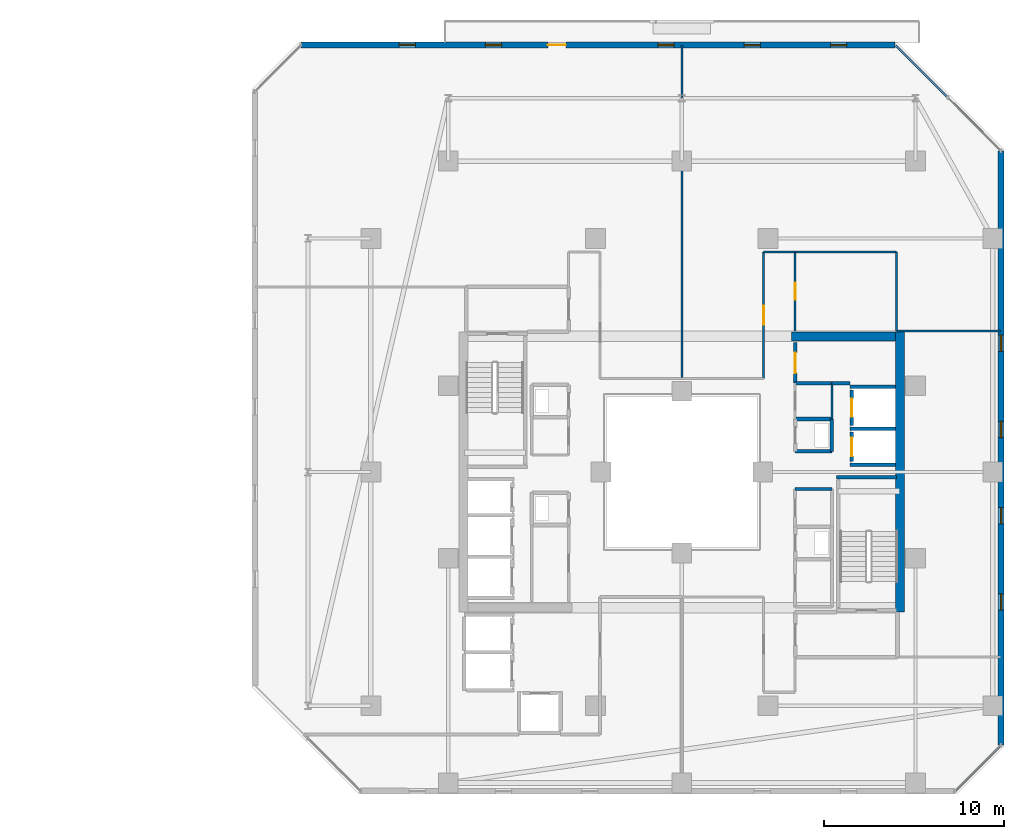
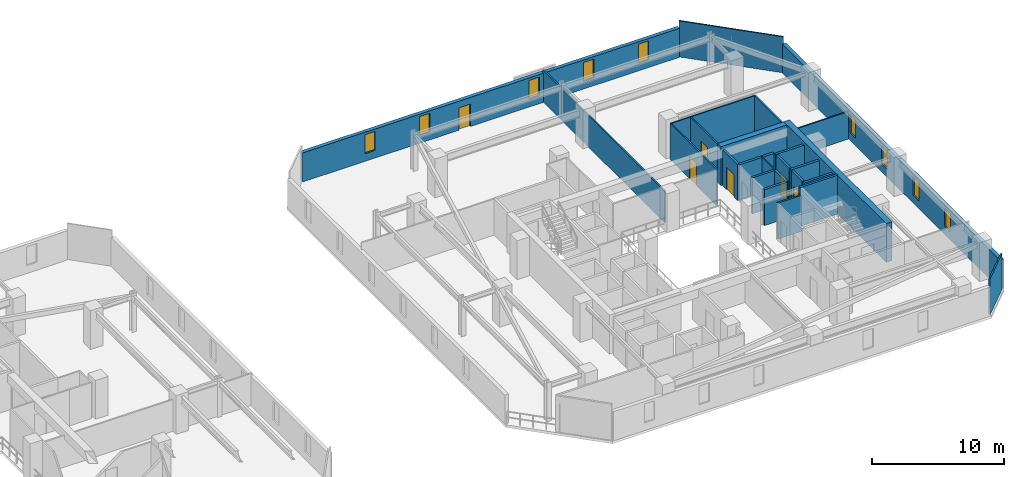
# One storey, part 25 of 32: 27 walls, 9 windows, 6 doors, 15 openings.
"""IFC4 building model written with IfcOpenShell, lengths in metres."""

from ifc_helpers import new_model, si_unit, direction, frame, frame_2d, origin, place, context, subcontext, project, spatial, rectangle, extrude, material, layer, layer_set, type_object, element, fill, save


model = new_model("IFC4")

# Units and contexts
model_context = context("Model", 3, precision=1e-05, world=origin(), true_north=direction((0.0, 1.0)))
body_context = subcontext(model_context, "Body", "Model", "MODEL_VIEW")
ifc_project = project(units=[si_unit("LENGTHUNIT", "METRE"), si_unit("AREAUNIT", "SQUARE_METRE"), si_unit("VOLUMEUNIT", "CUBIC_METRE"), si_unit("PLANEANGLEUNIT", "RADIAN"), si_unit("MASSUNIT", "GRAM", prefix="KILO")], contexts=[model_context])

# Site, building, storey
site_placement = place(None, origin())
site = spatial("IfcSite", under=ifc_project, at=site_placement, CompositionType="ELEMENT")
building_placement = place(site_placement, origin())
building = spatial("IfcBuilding", under=site, at=building_placement, Name="Thornwick Lancets Civic Towers", CompositionType="ELEMENT")
storey_placement = place(building_placement, frame((0.0, 0.0, 178.5)))
storey = spatial("IfcBuildingStorey", under=building, at=storey_placement, Name="L47", CompositionType="ELEMENT", Elevation=178.5)

# Wall, opening, door
ifc_material_1 = material(Name="Concrete blockwork C40/50", Category="masonry")
ifc_layer_1 = layer(ifc_material_1, 0.199951171875, Name="Concrete blockwork C40/50")
ifc_layer_set_1 = layer_set([ifc_layer_1], Name="Concrete blockwork C40/50")
wall_type_1 = type_object("IfcWallType", Name="WALL_COMP_200", PredefinedType="STANDARD", material=ifc_layer_set_1)
wall_1_placement = place(storey_placement, frame((97.949951171875, 29.219970703125, 0.0), z_axis=(0.0, 0.0, 1.0), x_axis=(0.0, -1.0, 0.0)))
wall_1 = element("IfcWall", 1, at=wall_1_placement, inside=storey, type_object=wall_type_1, Name="L47 Hoistway Front Wall FL-B1", PredefinedType="STANDARD", context=body_context, shape_type="SweptSolid", body=[
    extrude(rectangle(XDim=1.639892578125, YDim=0.199951171875, at=frame_2d((0.81982421875, 0.0))), origin(), (0.0, 0.0, 1.0), 3.340087890625),
])
opening_1_placement = place(wall_1_placement, frame((0.31005859375, 0.0, 0.0)))
opening_1 = element("IfcOpeningElement", 2, at=opening_1_placement, cuts=wall_1, Name="Opening LD-FL-B1", PredefinedType="OPENING", context=body_context, shape_type="SweptSolid", body=[
    extrude(rectangle(XDim=1.02001953125, YDim=2.06005859375, at=frame_2d((0.510009765625, 1.030029296875))), frame((0.0, 0.10986328125, 0.0), z_axis=(0.0, -1.0, 0.0), x_axis=(1.0, 0.0, 0.0)), (0.0, 0.0, 1.0), 0.219970703125),
])
ifc_material_2 = material(Name="Brushed bronze stainless steel", Category="steel")
door_type_1 = type_object("IfcDoorType", Name="DOOR_LIFT_SLIDE", OperationType="SLIDING_TO_LEFT", PredefinedType="DOOR", material=ifc_material_2)
door_1_placement = place(opening_1_placement, origin())
door_1 = element("IfcDoor", 3, at=door_1_placement, inside=storey, type_object=door_type_1, Name="L47 Sliding Lift Landing Door LD-FL-B1", OperationType="SLIDING_TO_LEFT", OverallHeight=2.06005859375, OverallWidth=1.02001953125, PredefinedType="DOOR", context=body_context, shape_type="SweptSolid", body=[
    extrude(rectangle(XDim=1.02001953125, YDim=2.06005859375, at=frame_2d((0.510009765625, 1.030029296875))), frame((0.0, 0.02490234375, 0.0), z_axis=(0.0, -1.0, 0.0), x_axis=(1.0, 0.0, 0.0)), (0.0, 0.0, 1.0), 0.050048828125),
])
fill(opening_1, door_1)

wall_2_placement = place(storey_placement, frame((97.949951171875, 31.570068359375, 0.0), z_axis=(0.0, 0.0, 1.0), x_axis=(0.0, -1.0, 0.0)))
wall_2 = element("IfcWall", 4, at=wall_2_placement, inside=storey, type_object=wall_type_1, Name="L47 Hoistway Front Wall PL-BH1", PredefinedType="STANDARD", context=body_context, shape_type="SweptSolid", body=[
    extrude(rectangle(XDim=1.989990234375, YDim=0.199951171875, at=frame_2d((0.9951171875, 0.0))), origin(), (0.0, 0.0, 1.0), 3.340087890625),
])
opening_2_placement = place(wall_2_placement, frame((0.485107421875, 0.0, 0.0)))
opening_2 = element("IfcOpeningElement", 5, at=opening_2_placement, cuts=wall_2, Name="Opening LD-PL-BH1", PredefinedType="OPENING", context=body_context, shape_type="SweptSolid", body=[
    extrude(rectangle(XDim=1.02001953125, YDim=2.06005859375, at=frame_2d((0.510009765625, 1.030029296875))), frame((0.0, 0.10986328125, 0.0), z_axis=(0.0, -1.0, 0.0), x_axis=(1.0, 0.0, 0.0)), (0.0, 0.0, 1.0), 0.219970703125),
])
door_2_placement = place(opening_2_placement, origin())
door_2 = element("IfcDoor", 6, at=door_2_placement, inside=storey, type_object=door_type_1, Name="L47 Sliding Lift Landing Door LD-PL-BH1", OperationType="SLIDING_TO_LEFT", OverallHeight=2.06005859375, OverallWidth=1.02001953125, PredefinedType="DOOR", context=body_context, shape_type="SweptSolid", body=[
    extrude(rectangle(XDim=1.02001953125, YDim=2.06005859375, at=frame_2d((0.510009765625, 1.030029296875))), frame((0.0, 0.02490234375, 0.0), z_axis=(0.0, -1.0, 0.0), x_axis=(1.0, 0.0, 0.0)), (0.0, 0.0, 1.0), 0.050048828125),
])
fill(opening_2, door_2)

# Walls
for number, where, z_axis, x_axis, name in (
    (7, (97.85205078125, 29.39990234375, 0.0), (0.0, 0.0, 1.0), (1.0, 0.0, 0.0), "L47 Hoistway Shaft Wall FL-B1 N"),
    (8, (97.85205078125, 27.39990234375, 0.0), (0.0, 0.0, 1.0), (1.0, 0.0, 0.0), "L47 Hoistway Shaft Wall FL-B1 S"),
    (9, (97.85205078125, 31.75, 0.0), (0.0, 0.0, 1.0), (1.0, 0.0, 0.0), "L47 Hoistway Shaft Wall PL-BH1 N"),
):
    element("IfcWall", number, at=place(storey_placement, frame(where, z_axis=z_axis, x_axis=x_axis)), inside=storey, type_object=wall_type_1, Name=name, PredefinedType="STANDARD", context=body_context, shape_type="SweptSolid", body=[
        extrude(rectangle(XDim=2.535888671875, YDim=0.199951171875, at=frame_2d((1.26806640625, 0.0))), origin(), (0.0, 0.0, 1.0), 3.340087890625),
    ])
wall_3_placement = place(storey_placement, frame((94.800048828125, 28.14990234375, 0.0), z_axis=(0.0, 0.0, 1.0), x_axis=(1.0, 0.0, 0.0)))
element("IfcWall", 10, at=wall_3_placement, inside=storey, type_object=wall_type_1, Name="L47 Partition L47-B-DUCT1 E1", PredefinedType="STANDARD", context=body_context, shape_type="SweptSolid", body=[
    extrude(rectangle(XDim=2.050048828125, YDim=0.199951171875, at=frame_2d((1.02490234375, 0.0))), origin(), (0.0, 0.0, 1.0), 3.340087890625),
])
wall_4_placement = place(storey_placement, frame((96.85009765625, 28.14990234375, 0.0), z_axis=(0.0, 0.0, 1.0), x_axis=(0.0, 1.0, 0.0)))
element("IfcWall", 11, at=wall_4_placement, inside=storey, type_object=wall_type_1, Name="L47 Partition L47-B-DUCT1 E2", PredefinedType="STANDARD", context=body_context, shape_type="SweptSolid", body=[
    extrude(rectangle(XDim=1.800048828125, YDim=0.199951171875, at=frame_2d((0.89990234375, 0.0))), origin(), (0.0, 0.0, 1.0), 3.340087890625),
])
wall_5_placement = place(storey_placement, frame((96.85009765625, 29.949951171875, 0.0), z_axis=(0.0, 0.0, 1.0), x_axis=(-1.0, 0.0, 0.0)))
element("IfcWall", 12, at=wall_5_placement, inside=storey, type_object=wall_type_1, Name="L47 Partition L47-B-DUCT1 E3", PredefinedType="STANDARD", context=body_context, shape_type="SweptSolid", body=[
    extrude(rectangle(XDim=2.050048828125, YDim=0.199951171875, at=frame_2d((1.02490234375, 0.0))), origin(), (0.0, 0.0, 1.0), 3.340087890625),
])

# Wall, opening, door
wall_6_placement = place(storey_placement, frame((94.800048828125, 31.949951171875, 0.0), z_axis=(0.0, 0.0, 1.0), x_axis=(0.0, 1.0, 0.0)))
wall_6 = element("IfcWall", 13, at=wall_6_placement, inside=storey, type_object=wall_type_1, Name="L47 Partition L47-B-ITR2 E1", PredefinedType="STANDARD", context=body_context, shape_type="SweptSolid", body=[
    extrude(rectangle(XDim=2.25, YDim=0.199951171875, at=frame_2d((1.125, 0.0))), origin(), (0.0, 0.0, 1.0), 3.340087890625),
])
opening_3_placement = place(wall_6_placement, frame((0.550048828125, 0.0, 0.0)))
opening_3 = element("IfcOpeningElement", 14, at=opening_3_placement, cuts=wall_6, Name="Opening D-L47-2108", PredefinedType="OPENING", context=body_context, shape_type="SweptSolid", body=[
    extrude(rectangle(XDim=1.14990234375, YDim=2.10009765625, at=frame_2d((0.574951171875, 1.050048828125))), frame((0.0, 0.10986328125, 0.0), z_axis=(0.0, -1.0, 0.0), x_axis=(1.0, 0.0, 0.0)), (0.0, 0.0, 1.0), 0.219970703125),
])
ifc_material_3 = material(Name="Glazed fire-resisting steel", Category="steel")
door_type_2 = type_object("IfcDoorType", Name="DOOR_LOBBY_FD60", OperationType="NOTDEFINED", PredefinedType="DOOR", material=ifc_material_3)
door_3_placement = place(opening_3_placement, origin())
door_3 = element("IfcDoor", 15, at=door_3_placement, inside=storey, type_object=door_type_2, Name="L47 Tower B Statutory Core Archive Door", OperationType="SINGLE_SWING_LEFT", OverallHeight=2.10009765625, OverallWidth=1.14990234375, PredefinedType="DOOR", context=body_context, shape_type="SweptSolid", body=[
    extrude(rectangle(XDim=1.14990234375, YDim=2.10009765625, at=frame_2d((0.574951171875, 1.050048828125))), frame((0.0, 0.02490234375, 0.0), z_axis=(0.0, -1.0, 0.0), x_axis=(1.0, 0.0, 0.0)), (0.0, 0.0, 1.0), 0.050048828125),
])
fill(opening_3, door_3)

# Walls
wall_7_placement = place(storey_placement, frame((97.85205078125, 31.949951171875, 0.0), z_axis=(0.0, 0.0, 1.0), x_axis=(-1.0, 0.0, 0.0)))
element("IfcWall", 16, at=wall_7_placement, inside=storey, type_object=wall_type_1, Name="L47 Partition L47-B-ITR2 E4", PredefinedType="STANDARD", context=body_context, shape_type="SweptSolid", body=[
    extrude(rectangle(XDim=1.001953125, YDim=0.199951171875, at=frame_2d((0.5009765625, 0.0))), origin(), (0.0, 0.0, 1.0), 3.340087890625),
])
wall_8_placement = place(storey_placement, frame((96.85009765625, 31.949951171875, 0.0), z_axis=(0.0, 0.0, 1.0), x_axis=(-1.0, 0.0, 0.0)))
element("IfcWall", 17, at=wall_8_placement, inside=storey, type_object=wall_type_1, Name="L47 Partition L47-B-ITR2 E5", PredefinedType="STANDARD", context=body_context, shape_type="SweptSolid", body=[
    extrude(rectangle(XDim=2.050048828125, YDim=0.199951171875, at=frame_2d((1.02490234375, 0.0))), origin(), (0.0, 0.0, 1.0), 3.340087890625),
])
ifc_material_4 = material(Name="Concrete C50/60", Category="concrete")
ifc_layer_2 = layer(ifc_material_4, 0.5, Name="Concrete C50/60")
ifc_layer_set_2 = layer_set([ifc_layer_2], Name="Concrete C50/60")
wall_type_2 = type_object("IfcWallType", Name="WALL_CORE_500", PredefinedType="SHEAR", material=ifc_layer_set_2)
wall_9_placement = place(storey_placement, frame((100.64990234375, 19.199951171875, 0.0), z_axis=(0.0, 0.0, 1.0), x_axis=(0.0, 1.0, 0.0)))
element("IfcWall", 18, at=wall_9_placement, inside=storey, type_object=wall_type_2, Name="L47 Split Core B1 Shear Wall E", PredefinedType="SHEAR", context=body_context, shape_type="SweptSolid", body=[
    extrude(rectangle(XDim=15.60009765625, YDim=0.5, at=frame_2d((7.800048828125, 0.0))), origin(), (0.0, 0.0, 1.0), 3.60009765625),
])
wall_10_placement = place(storey_placement, frame((94.60009765625, 34.550048828125, 0.0), z_axis=(0.0, 0.0, 1.0), x_axis=(1.0, 0.0, 0.0)))
element("IfcWall", 19, at=wall_10_placement, inside=storey, type_object=wall_type_2, Name="L47 Split Core B1 Shear Wall N", PredefinedType="SHEAR", context=body_context, shape_type="SweptSolid", body=[
    extrude(rectangle(XDim=5.7998046875, YDim=0.5, at=frame_2d((2.89990234375, 0.0))), origin(), (0.0, 0.0, 1.0), 3.60009765625),
])

# Wall, openings, windows
ifc_material_5 = material(Name="Insulated buff terracotta rainscreen on concrete C40/50", Category="masonry")
ifc_layer_3 = layer(ifc_material_5, 0.320068359375, Name="Insulated buff terracotta rainscreen on concrete C40/50")
ifc_layer_set_3 = layer_set([ifc_layer_3], Name="Insulated buff terracotta rainscreen on concrete C40/50")
wall_type_3 = type_object("IfcWallType", Name="WALL_EXT_TERRA_320", PredefinedType="STANDARD", material=ifc_layer_set_3)
wall_11_placement = place(storey_placement, frame((106.2646484375, 11.818603515625, 0.0), z_axis=(0.0, 0.0, 1.0), x_axis=(-0.000332378036, 0.999999944762, 0.0)))
wall_11 = element("IfcWall", 20, at=wall_11_placement, inside=storey, type_object=wall_type_3, Name="L47 Tower B Terracotta Facade Wall E2", PredefinedType="STANDARD", context=body_context, shape_type="SweptSolid", body=[
    extrude(rectangle(XDim=33.0537109375, YDim=0.320068359375, at=frame_2d((16.52685546875, 0.0))), origin(), (0.0, 0.0, 1.0), 2.699951171875),
])
opening_4_placement = place(wall_11_placement, frame((7.5, 0.0, 0.719970703125)))
opening_4 = element("IfcOpeningElement", 21, at=opening_4_placement, cuts=wall_11, Name="Opening WL-01", PredefinedType="OPENING", context=body_context, shape_type="SweptSolid", body=[
    extrude(rectangle(XDim=0.89990234375, YDim=1.75, at=frame_2d((0.449951171875, 0.875))), frame((0.0, 0.169921875, 0.0), z_axis=(0.0, -1.0, 0.0), x_axis=(1.0, 0.0, 0.0)), (0.0, 0.0, 1.0), 0.340087890625),
])
opening_5_placement = place(wall_11_placement, frame((12.300048828125, 0.0, 0.719970703125)))
opening_5 = element("IfcOpeningElement", 22, at=opening_5_placement, cuts=wall_11, Name="Opening WL-01", PredefinedType="OPENING", context=body_context, shape_type="SweptSolid", body=[
    extrude(rectangle(XDim=0.89990234375, YDim=1.75, at=frame_2d((0.449951171875, 0.875))), frame((0.0, 0.169921875, 0.0), z_axis=(0.0, -1.0, 0.0), x_axis=(1.0, 0.0, 0.0)), (0.0, 0.0, 1.0), 0.340087890625),
])
opening_6_placement = place(wall_11_placement, frame((17.10009765625, 0.0, 0.719970703125)))
opening_6 = element("IfcOpeningElement", 23, at=opening_6_placement, cuts=wall_11, Name="Opening WL-01", PredefinedType="OPENING", context=body_context, shape_type="SweptSolid", body=[
    extrude(rectangle(XDim=0.89990234375, YDim=1.75, at=frame_2d((0.449951171875, 0.875))), frame((0.0, 0.169921875, 0.0), z_axis=(0.0, -1.0, 0.0), x_axis=(1.0, 0.0, 0.0)), (0.0, 0.0, 1.0), 0.340087890625),
])
opening_7_placement = place(wall_11_placement, frame((21.89990234375, 0.0, 0.719970703125)))
opening_7 = element("IfcOpeningElement", 24, at=opening_7_placement, cuts=wall_11, Name="Opening WL-01", PredefinedType="OPENING", context=body_context, shape_type="SweptSolid", body=[
    extrude(rectangle(XDim=0.89990234375, YDim=1.75, at=frame_2d((0.449951171875, 0.875))), frame((0.0, 0.169921875, 0.0), z_axis=(0.0, -1.0, 0.0), x_axis=(1.0, 0.0, 0.0)), (0.0, 0.0, 1.0), 0.340087890625),
])
ifc_material_6 = material(Name="Clear low-e double glazing in bronze frame", Category="glass")
window_type = type_object("IfcWindowType", Name="WIN_LANCET_900", PartitioningType="SINGLE_PANEL", PredefinedType="WINDOW", material=ifc_material_6)
window_1_placement = place(opening_4_placement, origin())
window_1 = element("IfcWindow", 25, at=window_1_placement, inside=storey, type_object=window_type, Name="L47 Tower B Staggered Lancet Window E2-1", OverallHeight=1.75, OverallWidth=0.89990234375, PartitioningType="SINGLE_PANEL", PredefinedType="WINDOW", context=body_context, shape_type="SweptSolid", body=[
    extrude(rectangle(XDim=0.89990234375, YDim=1.75, at=frame_2d((0.449951171875, 0.875))), frame((0.0, 0.030029296875, 0.0), z_axis=(0.0, -1.0, 0.0), x_axis=(1.0, 0.0, 0.0)), (0.0, 0.0, 1.0), 0.06005859375),
])
fill(opening_4, window_1)
window_2_placement = place(opening_5_placement, origin())
window_2 = element("IfcWindow", 26, at=window_2_placement, inside=storey, type_object=window_type, Name="L47 Tower B Staggered Lancet Window E2-2", OverallHeight=1.75, OverallWidth=0.89990234375, PartitioningType="SINGLE_PANEL", PredefinedType="WINDOW", context=body_context, shape_type="SweptSolid", body=[
    extrude(rectangle(XDim=0.89990234375, YDim=1.75, at=frame_2d((0.449951171875, 0.875))), frame((0.0, 0.030029296875, 0.0), z_axis=(0.0, -1.0, 0.0), x_axis=(1.0, 0.0, 0.0)), (0.0, 0.0, 1.0), 0.06005859375),
])
fill(opening_5, window_2)
window_3_placement = place(opening_6_placement, origin())
window_3 = element("IfcWindow", 27, at=window_3_placement, inside=storey, type_object=window_type, Name="L47 Tower B Staggered Lancet Window E2-3", OverallHeight=1.75, OverallWidth=0.89990234375, PartitioningType="SINGLE_PANEL", PredefinedType="WINDOW", context=body_context, shape_type="SweptSolid", body=[
    extrude(rectangle(XDim=0.89990234375, YDim=1.75, at=frame_2d((0.449951171875, 0.875))), frame((0.0, 0.030029296875, 0.0), z_axis=(0.0, -1.0, 0.0), x_axis=(1.0, 0.0, 0.0)), (0.0, 0.0, 1.0), 0.06005859375),
])
fill(opening_6, window_3)
window_4_placement = place(opening_7_placement, origin())
window_4 = element("IfcWindow", 28, at=window_4_placement, inside=storey, type_object=window_type, Name="L47 Tower B Staggered Lancet Window E2-4", OverallHeight=1.75, OverallWidth=0.89990234375, PartitioningType="SINGLE_PANEL", PredefinedType="WINDOW", context=body_context, shape_type="SweptSolid", body=[
    extrude(rectangle(XDim=0.89990234375, YDim=1.75, at=frame_2d((0.449951171875, 0.875))), frame((0.0, 0.030029296875, 0.0), z_axis=(0.0, -1.0, 0.0), x_axis=(1.0, 0.0, 0.0)), (0.0, 0.0, 1.0), 0.06005859375),
])
fill(opening_7, window_4)

# Wall, openings, door, windows
wall_12_placement = place(storey_placement, frame((100.372314453125, 50.753662109375, 0.0), z_axis=(0.0, 0.0, 1.0), x_axis=(-0.999999944762, 0.000332378036, 0.0)))
wall_12 = element("IfcWall", 29, at=wall_12_placement, inside=storey, type_object=wall_type_3, Name="L47 Tower B Terracotta Facade Wall E4", PredefinedType="STANDARD", context=body_context, shape_type="SweptSolid", body=[
    extrude(rectangle(XDim=33.0537109375, YDim=0.320068359375, at=frame_2d((16.52685546875, 0.0))), origin(), (0.0, 0.0, 1.0), 2.699951171875),
])
opening_8_placement = place(wall_12_placement, frame((18.326904296875, 0.0, 0.0)))
opening_8 = element("IfcOpeningElement", 30, at=opening_8_placement, cuts=wall_12, Name="Opening D-BL-L47-BN", PredefinedType="OPENING", context=body_context, shape_type="SweptSolid", body=[
    extrude(rectangle(XDim=1.0, YDim=2.080078125, at=frame_2d((0.5, 1.0400390625))), frame((0.0, 0.169921875, 0.0), z_axis=(0.0, -1.0, 0.0), x_axis=(1.0, 0.0, 0.0)), (0.0, 0.0, 1.0), 0.340087890625),
])
opening_9_placement = place(wall_12_placement, frame((2.699951171875, 0.0, 0.719970703125)))
opening_9 = element("IfcOpeningElement", 31, at=opening_9_placement, cuts=wall_12, Name="Opening WL-01", PredefinedType="OPENING", context=body_context, shape_type="SweptSolid", body=[
    extrude(rectangle(XDim=0.89990234375, YDim=1.75, at=frame_2d((0.449951171875, 0.875))), frame((0.0, 0.169921875, 0.0), z_axis=(0.0, -1.0, 0.0), x_axis=(1.0, 0.0, 0.0)), (0.0, 0.0, 1.0), 0.340087890625),
])
opening_10_placement = place(wall_12_placement, frame((7.5, 0.0, 0.719970703125)))
opening_10 = element("IfcOpeningElement", 32, at=opening_10_placement, cuts=wall_12, Name="Opening WL-01", PredefinedType="OPENING", context=body_context, shape_type="SweptSolid", body=[
    extrude(rectangle(XDim=0.89990234375, YDim=1.75, at=frame_2d((0.449951171875, 0.875))), frame((0.0, 0.169921875, 0.0), z_axis=(0.0, -1.0, 0.0), x_axis=(1.0, 0.0, 0.0)), (0.0, 0.0, 1.0), 0.340087890625),
])
opening_11_placement = place(wall_12_placement, frame((12.300048828125, 0.0, 0.719970703125)))
opening_11 = element("IfcOpeningElement", 33, at=opening_11_placement, cuts=wall_12, Name="Opening WL-01", PredefinedType="OPENING", context=body_context, shape_type="SweptSolid", body=[
    extrude(rectangle(XDim=0.89990234375, YDim=1.75, at=frame_2d((0.449951171875, 0.875))), frame((0.0, 0.169921875, 0.0), z_axis=(0.0, -1.0, 0.0), x_axis=(1.0, 0.0, 0.0)), (0.0, 0.0, 1.0), 0.340087890625),
])
opening_12_placement = place(wall_12_placement, frame((21.89990234375, 0.0, 0.719970703125)))
opening_12 = element("IfcOpeningElement", 34, at=opening_12_placement, cuts=wall_12, Name="Opening WL-01", PredefinedType="OPENING", context=body_context, shape_type="SweptSolid", body=[
    extrude(rectangle(XDim=0.89990234375, YDim=1.75, at=frame_2d((0.449951171875, 0.875))), frame((0.0, 0.169921875, 0.0), z_axis=(0.0, -1.0, 0.0), x_axis=(1.0, 0.0, 0.0)), (0.0, 0.0, 1.0), 0.340087890625),
])
opening_13_placement = place(wall_12_placement, frame((26.699951171875, 0.0, 0.719970703125)))
opening_13 = element("IfcOpeningElement", 35, at=opening_13_placement, cuts=wall_12, Name="Opening WL-01", PredefinedType="OPENING", context=body_context, shape_type="SweptSolid", body=[
    extrude(rectangle(XDim=0.89990234375, YDim=1.75, at=frame_2d((0.449951171875, 0.875))), frame((0.0, 0.169921875, 0.0), z_axis=(0.0, -1.0, 0.0), x_axis=(1.0, 0.0, 0.0)), (0.0, 0.0, 1.0), 0.340087890625),
])
ifc_material_7 = material(Name="Thermally broken glazed loggia doorset")
door_type_3 = type_object("IfcDoorType", Name="DOOR_BALC_1000", OperationType="NOTDEFINED", PredefinedType="DOOR", material=ifc_material_7)
door_4_placement = place(opening_8_placement, origin())
door_4 = element("IfcDoor", 36, at=door_4_placement, inside=storey, type_object=door_type_3, Name="L47 Tower B Loggia Balcony Door N", OperationType="SINGLE_SWING_RIGHT", OverallHeight=2.080078125, OverallWidth=1.0, PredefinedType="DOOR", context=body_context, shape_type="SweptSolid", body=[
    extrude(rectangle(XDim=1.0, YDim=2.080078125, at=frame_2d((0.5, 1.0400390625))), frame((0.0, 0.02490234375, 0.0), z_axis=(0.0, -1.0, 0.0), x_axis=(1.0, 0.0, 0.0)), (0.0, 0.0, 1.0), 0.050048828125),
])
fill(opening_8, door_4)
window_5_placement = place(opening_9_placement, origin())
window_5 = element("IfcWindow", 37, at=window_5_placement, inside=storey, type_object=window_type, Name="L47 Tower B Staggered Lancet Window E4-1", OverallHeight=1.75, OverallWidth=0.89990234375, PartitioningType="SINGLE_PANEL", PredefinedType="WINDOW", context=body_context, shape_type="SweptSolid", body=[
    extrude(rectangle(XDim=0.89990234375, YDim=1.75, at=frame_2d((0.449951171875, 0.875))), frame((0.0, 0.030029296875, 0.0), z_axis=(0.0, -1.0, 0.0), x_axis=(1.0, 0.0, 0.0)), (0.0, 0.0, 1.0), 0.06005859375),
])
fill(opening_9, window_5)
window_6_placement = place(opening_10_placement, origin())
window_6 = element("IfcWindow", 38, at=window_6_placement, inside=storey, type_object=window_type, Name="L47 Tower B Staggered Lancet Window E4-2", OverallHeight=1.75, OverallWidth=0.89990234375, PartitioningType="SINGLE_PANEL", PredefinedType="WINDOW", context=body_context, shape_type="SweptSolid", body=[
    extrude(rectangle(XDim=0.89990234375, YDim=1.75, at=frame_2d((0.449951171875, 0.875))), frame((0.0, 0.030029296875, 0.0), z_axis=(0.0, -1.0, 0.0), x_axis=(1.0, 0.0, 0.0)), (0.0, 0.0, 1.0), 0.06005859375),
])
fill(opening_10, window_6)
window_7_placement = place(opening_11_placement, origin())
window_7 = element("IfcWindow", 39, at=window_7_placement, inside=storey, type_object=window_type, Name="L47 Tower B Staggered Lancet Window E4-3", OverallHeight=1.75, OverallWidth=0.89990234375, PartitioningType="SINGLE_PANEL", PredefinedType="WINDOW", context=body_context, shape_type="SweptSolid", body=[
    extrude(rectangle(XDim=0.89990234375, YDim=1.75, at=frame_2d((0.449951171875, 0.875))), frame((0.0, 0.030029296875, 0.0), z_axis=(0.0, -1.0, 0.0), x_axis=(1.0, 0.0, 0.0)), (0.0, 0.0, 1.0), 0.06005859375),
])
fill(opening_11, window_7)
window_8_placement = place(opening_12_placement, origin())
window_8 = element("IfcWindow", 40, at=window_8_placement, inside=storey, type_object=window_type, Name="L47 Tower B Staggered Lancet Window E4-4", OverallHeight=1.75, OverallWidth=0.89990234375, PartitioningType="SINGLE_PANEL", PredefinedType="WINDOW", context=body_context, shape_type="SweptSolid", body=[
    extrude(rectangle(XDim=0.89990234375, YDim=1.75, at=frame_2d((0.449951171875, 0.875))), frame((0.0, 0.030029296875, 0.0), z_axis=(0.0, -1.0, 0.0), x_axis=(1.0, 0.0, 0.0)), (0.0, 0.0, 1.0), 0.06005859375),
])
fill(opening_12, window_8)
window_9_placement = place(opening_13_placement, origin())
window_9 = element("IfcWindow", 41, at=window_9_placement, inside=storey, type_object=window_type, Name="L47 Tower B Staggered Lancet Window E4-5", OverallHeight=1.75, OverallWidth=0.89990234375, PartitioningType="SINGLE_PANEL", PredefinedType="WINDOW", context=body_context, shape_type="SweptSolid", body=[
    extrude(rectangle(XDim=0.89990234375, YDim=1.75, at=frame_2d((0.449951171875, 0.875))), frame((0.0, 0.030029296875, 0.0), z_axis=(0.0, -1.0, 0.0), x_axis=(1.0, 0.0, 0.0)), (0.0, 0.0, 1.0), 0.06005859375),
])
fill(opening_13, window_9)

# Walls
ifc_material_8 = material(Name="Lightweight cellular office partition")
ifc_layer_4 = layer(ifc_material_8, 0.10009765625, Name="Lightweight cellular office partition")
ifc_layer_set_4 = layer_set([ifc_layer_4], Name="Lightweight cellular office partition")
wall_type_4 = type_object("IfcWallType", Name="WALL_PART_100", PredefinedType="PARTITIONING", material=ifc_layer_set_4)
wall_13_placement = place(storey_placement, frame((96.85009765625, 31.949951171875, 0.0), z_axis=(0.0, 0.0, 1.0), x_axis=(0.0, -1.0, 0.0)))
element("IfcWall", 42, at=wall_13_placement, inside=storey, type_object=wall_type_4, Name="L47 Partition L47-B-CLN E3", PredefinedType="PARTITIONING", context=body_context, shape_type="SweptSolid", body=[
    extrude(rectangle(XDim=2.0, YDim=0.10009765625, at=frame_2d((1.0, 0.0))), origin(), (0.0, 0.0, 1.0), 3.340087890625),
])
ifc_material_9 = material(Name="Acoustic gypsum board partition")
ifc_layer_5 = layer(ifc_material_9, 0.1201171875, Name="Acoustic gypsum board partition")
ifc_layer_set_5 = layer_set([ifc_layer_5], Name="Acoustic gypsum board partition")
wall_type_5 = type_object("IfcWallType", Name="WALL_PART_120", PredefinedType="PARTITIONING", material=ifc_layer_set_5)
wall_14_placement = place(storey_placement, frame((100.449951171875, 39.25, 0.0), z_axis=(0.0, 0.0, 1.0), x_axis=(0.0, -1.0, 0.0)))
element("IfcWall", 43, at=wall_14_placement, inside=storey, type_object=wall_type_5, Name="L47 Partition L47-B-RECLAIM-L1 E1", PredefinedType="PARTITIONING", context=body_context, shape_type="SweptSolid", body=[
    extrude(rectangle(XDim=4.39990234375, YDim=0.1201171875, at=frame_2d((2.199951171875, 0.0))), origin(), (0.0, 0.0, 1.0), 3.340087890625),
])

# Wall, opening, door
wall_15_placement = place(storey_placement, frame((94.800048828125, 34.85009765625, 0.0), z_axis=(0.0, 0.0, 1.0), x_axis=(0.0, 1.0, 0.0)))
wall_15 = element("IfcWall", 44, at=wall_15_placement, inside=storey, type_object=wall_type_5, Name="L47 Partition L47-B-RECLAIM-L1 E3", PredefinedType="PARTITIONING", context=body_context, shape_type="SweptSolid", body=[
    extrude(rectangle(XDim=4.39990234375, YDim=0.1201171875, at=frame_2d((2.199951171875, 0.0))), origin(), (0.0, 0.0, 1.0), 3.340087890625),
])
opening_14_placement = place(wall_15_placement, frame((1.72509765625, 0.0, 0.0)))
opening_14 = element("IfcOpeningElement", 45, at=opening_14_placement, cuts=wall_15, Name="Opening D-L47-2116", PredefinedType="OPENING", context=body_context, shape_type="SweptSolid", body=[
    extrude(rectangle(XDim=0.949951171875, YDim=2.10009765625, at=frame_2d((0.47509765625, 1.050048828125))), frame((0.0, 0.070068359375, 0.0), z_axis=(0.0, -1.0, 0.0), x_axis=(1.0, 0.0, 0.0)), (0.0, 0.0, 1.0), 0.14013671875),
])
ifc_material_10 = material(Name="European oak acoustic doorset")
door_type_4 = type_object("IfcDoorType", Name="DOOR_OFFICE_950", OperationType="NOTDEFINED", PredefinedType="DOOR", material=ifc_material_10)
door_5_placement = place(opening_14_placement, origin())
door_5 = element("IfcDoor", 46, at=door_5_placement, inside=storey, type_object=door_type_4, Name="L47 Tower B Policy Archive and Library Door", OperationType="SINGLE_SWING_LEFT", OverallHeight=2.10009765625, OverallWidth=0.949951171875, PredefinedType="DOOR", context=body_context, shape_type="SweptSolid", body=[
    extrude(rectangle(XDim=0.949951171875, YDim=2.10009765625, at=frame_2d((0.47509765625, 1.050048828125))), frame((0.0, 0.02490234375, 0.0), z_axis=(0.0, -1.0, 0.0), x_axis=(1.0, 0.0, 0.0)), (0.0, 0.0, 1.0), 0.050048828125),
])
fill(opening_14, door_5)

# Walls
wall_16_placement = place(storey_placement, frame((94.800048828125, 39.25, 0.0), z_axis=(0.0, 0.0, 1.0), x_axis=(1.0, 0.0, 0.0)))
element("IfcWall", 47, at=wall_16_placement, inside=storey, type_object=wall_type_5, Name="L47 Partition L47-B-RECLAIM-L1 E4", PredefinedType="PARTITIONING", context=body_context, shape_type="SweptSolid", body=[
    extrude(rectangle(XDim=5.64990234375, YDim=0.1201171875, at=frame_2d((2.824951171875, 0.0))), origin(), (0.0, 0.0, 1.0), 3.340087890625),
])
wall_17_placement = place(storey_placement, frame((106.219970703125, 11.774658203125, 0.0), z_axis=(0.0, 0.0, 1.0), x_axis=(-0.707106781187, -0.707106781187, 0.0)))
element("IfcWall", 48, at=wall_17_placement, inside=storey, type_object=wall_type_5, Name="L47 Partition L47-B-W1 E10", PredefinedType="PARTITIONING", context=body_context, shape_type="SweptSolid", body=[
    extrude(rectangle(XDim=3.52783203125, YDim=0.1201171875, at=frame_2d((1.763916015625, 0.0))), origin(), (0.0, 0.0, 1.0), 3.340087890625),
])
wall_18_placement = place(storey_placement, frame((94.800048828125, 39.25, 0.0), z_axis=(0.0, 0.0, 1.0), x_axis=(-1.0, 0.0, 0.0)))
element("IfcWall", 49, at=wall_18_placement, inside=storey, type_object=wall_type_5, Name="L47 Partition L47-B-E1 E3", PredefinedType="PARTITIONING", context=body_context, shape_type="SweptSolid", body=[
    extrude(rectangle(XDim=1.75, YDim=0.1201171875, at=frame_2d((0.875, 0.0))), origin(), (0.0, 0.0, 1.0), 3.340087890625),
])

# Wall, opening, door
wall_19_placement = place(storey_placement, frame((93.050048828125, 39.25, 0.0), z_axis=(0.0, 0.0, 1.0), x_axis=(0.0, -1.0, 0.0)))
wall_19 = element("IfcWall", 50, at=wall_19_placement, inside=storey, type_object=wall_type_5, Name="L47 Partition L47-B-E1 E4", PredefinedType="PARTITIONING", context=body_context, shape_type="SweptSolid", body=[
    extrude(rectangle(XDim=7.050048828125, YDim=0.1201171875, at=frame_2d((3.52490234375, 0.0))), origin(), (0.0, 0.0, 1.0), 3.340087890625),
])
opening_15_placement = place(wall_19_placement, frame((3.0, 0.0, 0.0)))
opening_15 = element("IfcOpeningElement", 51, at=opening_15_placement, cuts=wall_19, Name="Opening D-L47-2119", PredefinedType="OPENING", context=body_context, shape_type="SweptSolid", body=[
    extrude(rectangle(XDim=1.050048828125, YDim=2.10009765625, at=frame_2d((0.52490234375, 1.050048828125))), frame((0.0, 0.070068359375, 0.0), z_axis=(0.0, -1.0, 0.0), x_axis=(1.0, 0.0, 0.0)), (0.0, 0.0, 1.0), 0.14013671875),
])
ifc_material_11 = material(Name="Glazed European oak executive doorset")
door_type_5 = type_object("IfcDoorType", Name="DOOR_OFFICE_1050", OperationType="NOTDEFINED", PredefinedType="DOOR", material=ifc_material_11)
door_6_placement = place(opening_15_placement, origin())
door_6 = element("IfcDoor", 52, at=door_6_placement, inside=storey, type_object=door_type_5, Name="L47 Tower B Secretariat Open Office E1 Door", OperationType="SINGLE_SWING_RIGHT", OverallHeight=2.10009765625, OverallWidth=1.050048828125, PredefinedType="DOOR", context=body_context, shape_type="SweptSolid", body=[
    extrude(rectangle(XDim=1.050048828125, YDim=2.10009765625, at=frame_2d((0.52490234375, 1.050048828125))), frame((0.0, 0.02490234375, 0.0), z_axis=(0.0, -1.0, 0.0), x_axis=(1.0, 0.0, 0.0)), (0.0, 0.0, 1.0), 0.050048828125),
])
fill(opening_15, door_6)

# Walls
wall_20_placement = place(storey_placement, frame((88.5, 32.199951171875, 0.0), z_axis=(0.0, 0.0, 1.0), x_axis=(0.0, 1.0, 0.0)))
element("IfcWall", 53, at=wall_20_placement, inside=storey, type_object=wall_type_5, Name="L47 Partition L47-B-E1 E6", PredefinedType="PARTITIONING", context=body_context, shape_type="SweptSolid", body=[
    extrude(rectangle(XDim=18.52001953125, YDim=0.1201171875, at=frame_2d((9.260009765625, 0.0))), origin(), (0.0, 0.0, 1.0), 2.93212890625),
])
wall_21_placement = place(storey_placement, frame((100.40234375, 50.719970703125, 0.0), z_axis=(0.0, 0.0, 1.0), x_axis=(0.707106781187, -0.707106781187, 0.0)))
element("IfcWall", 54, at=wall_21_placement, inside=storey, type_object=wall_type_5, Name="L47 Partition L47-B-E1 E8", PredefinedType="PARTITIONING", context=body_context, shape_type="SweptSolid", body=[
    extrude(rectangle(XDim=8.227294921875, YDim=0.1201171875, at=frame_2d((4.11376953125, 0.0))), origin(), (0.0, 0.0, 1.0), 3.340087890625),
])
wall_22_placement = place(storey_placement, frame((106.219970703125, 34.85009765625, 0.0), z_axis=(0.0, 0.0, 1.0), x_axis=(-1.0, 0.0, 0.0)))
element("IfcWall", 55, at=wall_22_placement, inside=storey, type_object=wall_type_5, Name="L47 Partition L47-B-E1 E10", PredefinedType="PARTITIONING", context=body_context, shape_type="SweptSolid", body=[
    extrude(rectangle(XDim=5.77001953125, YDim=0.1201171875, at=frame_2d((2.885009765625, 0.0))), origin(), (0.0, 0.0, 1.0), 2.544921875),
])
ifc_material_12 = material(Name="Twin-stud acoustic gypsum board")
ifc_layer_6 = layer(ifc_material_12, 0.14990234375, Name="Twin-stud acoustic gypsum board")
ifc_layer_set_6 = layer_set([ifc_layer_6], Name="Twin-stud acoustic gypsum board")
wall_type_6 = type_object("IfcWallType", Name="WALL_PART_150", PredefinedType="PARTITIONING", material=ifc_layer_set_6)
wall_23_placement = place(storey_placement, frame((94.800048828125, 26.050048828125, 0.0), z_axis=(0.0, 0.0, 1.0), x_axis=(1.0, 0.0, 0.0)))
element("IfcWall", 56, at=wall_23_placement, inside=storey, type_object=wall_type_6, Name="L47 Partition L47-B-AWC E2", PredefinedType="PARTITIONING", context=body_context, shape_type="SweptSolid", body=[
    extrude(rectangle(XDim=2.050048828125, YDim=0.14990234375, at=frame_2d((1.02490234375, 0.0))), origin(), (0.0, 0.0, 1.0), 3.340087890625),
])
ifc_material_13 = material(Name="Concrete C40/50", Category="concrete")
ifc_layer_7 = layer(ifc_material_13, 0.199951171875, Name="Concrete C40/50")
ifc_layer_set_7 = layer_set([ifc_layer_7], Name="Concrete C40/50")
wall_type_7 = type_object("IfcWallType", Name="WALL_SHAFT_200", PredefinedType="SHEAR", material=ifc_layer_set_7)
wall_24_placement = place(storey_placement, frame((97.10009765625, 26.699951171875, 0.0), z_axis=(0.0, 0.0, 1.0), x_axis=(1.0, 0.0, 0.0)))
element("IfcWall", 57, at=wall_24_placement, inside=storey, type_object=wall_type_7, Name="L47 ST-B1 Fire Stair Core Wall FAR", PredefinedType="SHEAR", context=body_context, shape_type="SweptSolid", body=[
    extrude(rectangle(XDim=3.349853515625, YDim=0.199951171875, at=frame_2d((1.6748046875, 0.0))), origin(), (0.0, 0.0, 1.0), 3.60009765625),
])

save(model, "model.ifc")
